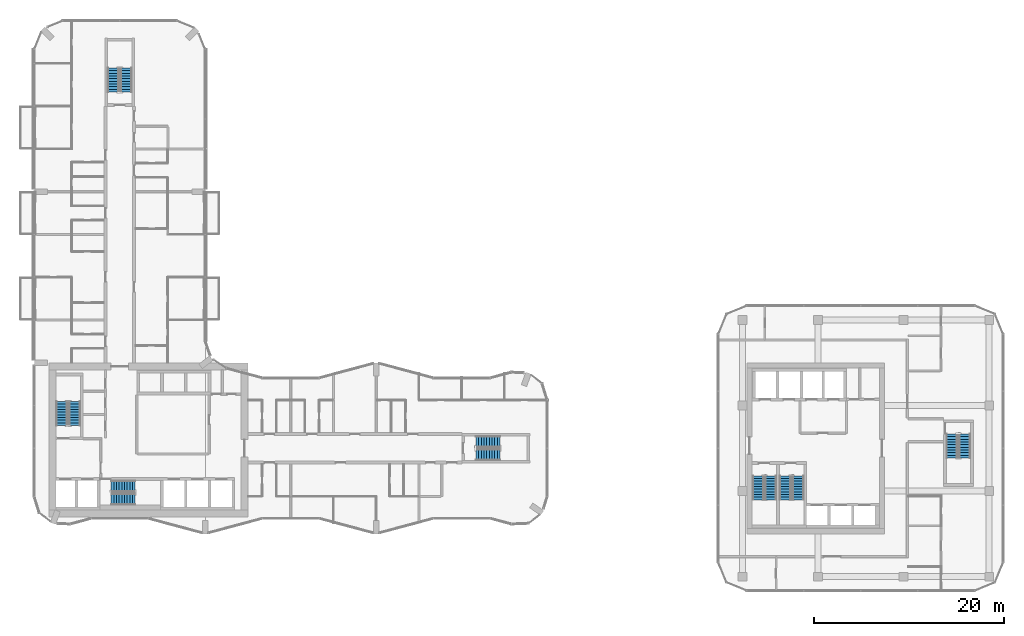
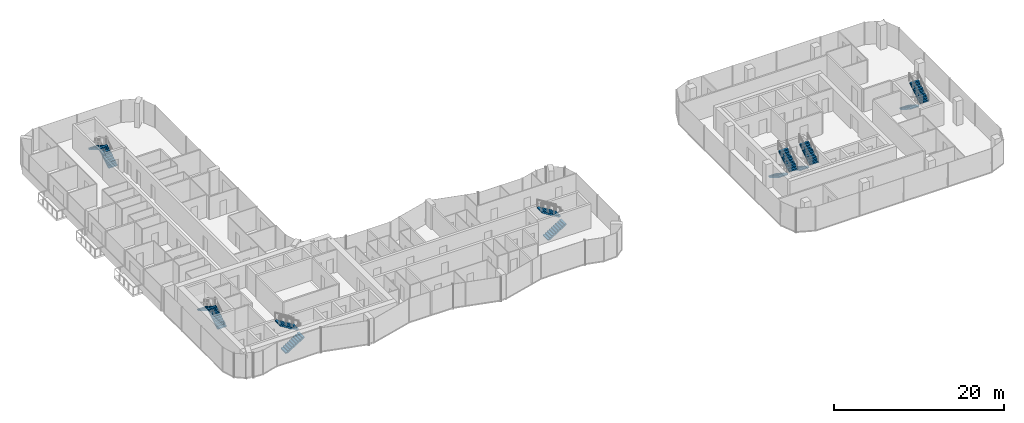
# One storey, part 20 of 23: 14 stair flights, 7 elements without a shape of their own.
"""IFC4 building model written with IfcOpenShell, lengths in metres."""

from ifc_helpers import new_model, si_unit, direction, frame, origin, place, context, subcontext, project, spatial, polyline, outline, extrude, material, type_object, element, aggregate, save


model = new_model("IFC4")

# Units and contexts
model_context = context("Model", 3, precision=1e-05, world=origin(), true_north=direction((0.0, 1.0)))
body_context = subcontext(model_context, "Body", "Model", "MODEL_VIEW")
ifc_project = project(units=[si_unit("LENGTHUNIT", "METRE"), si_unit("AREAUNIT", "SQUARE_METRE"), si_unit("VOLUMEUNIT", "CUBIC_METRE"), si_unit("PLANEANGLEUNIT", "RADIAN"), si_unit("MASSUNIT", "GRAM", prefix="KILO")], contexts=[model_context])

# Site, building, storey
site_placement = place(None, origin())
site = spatial("IfcSite", under=ifc_project, at=site_placement, CompositionType="ELEMENT")
building_placement = place(site_placement, origin())
building = spatial("IfcBuilding", under=site, at=building_placement, Name="Plateau Cross Towers", CompositionType="ELEMENT")
storey_placement = place(building_placement, frame((0.0, 0.0, 37.300048828125)))
storey = spatial("IfcBuildingStorey", under=building, at=storey_placement, Name="L08", CompositionType="ELEMENT", Elevation=37.300048828125)

# Stair, stair flights
ifc_material = material(Name="Concrete C40/50", Category="concrete")
stair_type = type_object("IfcStairType", Name="ST-TWR", PredefinedType="HALF_TURN_STAIR", material=ifc_material)
stair_1_placement = place(storey_placement, origin())
stair_1 = element("IfcStair", 1, at=stair_1_placement, inside=storey, type_object=stair_type, Name="L08 Protected Exit Stair ST-1", PredefinedType="HALF_TURN_STAIR")
stair_flight_type = type_object("IfcStairFlightType", Name="SFL-RC", PredefinedType="STRAIGHT", material=ifc_material)
stair_flight_1_placement = place(storey_placement, frame((4.25, 11.39990234375, 0.0), z_axis=(0.0, 0.0, 1.0), x_axis=(0.0, 1.0, 0.0)))
stair_flight_1 = element("IfcStairFlight", 2, at=stair_flight_1_placement, type_object=stair_flight_type, Name="ST-1 flight 1", NumberOfRisers=10, NumberOfTreads=9, PredefinedType="STRAIGHT", RiserHeight=0.175, TreadLength=0.28, context=body_context, shape_type="SweptSolid", body=[
    extrude(outline(polyline([(-0.0048828125, -0.010009765625), (-0.0048828125, 0.0), (0.0, 0.0), (0.0, 0.175048828125), (0.280029296875, 0.175048828125), (0.280029296875, 0.35009765625), (0.56005859375, 0.35009765625), (0.56005859375, 0.52490234375), (0.840087890625, 0.52490234375), (0.840087890625, 0.699951171875), (1.1201171875, 0.699951171875), (1.1201171875, 0.875), (1.39990234375, 0.875), (1.39990234375, 1.050048828125), (1.679931640625, 1.050048828125), (1.679931640625, 1.22509765625), (1.9599609375, 1.22509765625), (1.9599609375, 1.39990234375), (2.239990234375, 1.39990234375), (2.239990234375, 1.574951171875), (2.52001953125, 1.574951171875), (2.52490234375, 1.56494140625), (2.52490234375, 1.398193359375), (2.52001953125, 1.398193359375), (0.28271484375, 0.0), (0.02001953125, 0.0), (0.02001953125, -0.010009765625), (-0.0048828125, -0.010009765625)])), frame((0.0, 0.60009765625, 0.0), z_axis=(0.0, -1.0, 0.0), x_axis=(1.0, 0.0, 0.0)), (0.0, 0.0, 1.0), 1.199951171875),
])
stair_flight_2_placement = place(storey_placement, frame((2.89990234375, 13.919921875, 1.75), z_axis=(0.0, 0.0, 1.0), x_axis=(0.0, -1.0, 0.0)))
stair_flight_2 = element("IfcStairFlight", 3, at=stair_flight_2_placement, type_object=stair_flight_type, Name="ST-1 flight 2", NumberOfRisers=10, NumberOfTreads=9, PredefinedType="STRAIGHT", RiserHeight=0.175, TreadLength=0.28, context=body_context, shape_type="SweptSolid", body=[
    extrude(outline(polyline([(-0.0048828125, -0.010009765625), (-0.0048828125, 0.0), (0.0, 0.0), (0.0, 0.175048828125), (0.280029296875, 0.175048828125), (0.280029296875, 0.35009765625), (0.56005859375, 0.35009765625), (0.56005859375, 0.52490234375), (0.840087890625, 0.52490234375), (0.840087890625, 0.699951171875), (1.1201171875, 0.699951171875), (1.1201171875, 0.875), (1.39990234375, 0.875), (1.39990234375, 1.050048828125), (1.679931640625, 1.050048828125), (1.679931640625, 1.22509765625), (1.9599609375, 1.22509765625), (1.9599609375, 1.39990234375), (2.239990234375, 1.39990234375), (2.239990234375, 1.574951171875), (2.52001953125, 1.574951171875), (2.52490234375, 1.56494140625), (2.52490234375, 1.398193359375), (2.52001953125, 1.398193359375), (0.28271484375, 0.0), (0.02001953125, 0.0), (0.02001953125, -0.010009765625), (-0.0048828125, -0.010009765625)])), frame((0.0, 0.60009765625, 0.0), z_axis=(0.0, -1.0, 0.0), x_axis=(1.0, 0.0, 0.0)), (0.0, 0.0, 1.0), 1.199951171875),
])
aggregate(stair_1, [stair_flight_1, stair_flight_2])

stair_2_placement = place(storey_placement, origin())
stair_2 = element("IfcStair", 4, at=stair_2_placement, inside=storey, type_object=stair_type, Name="L08 Protected Exit Stair ST-2", PredefinedType="HALF_TURN_STAIR")
stair_flight_3_placement = place(storey_placement, frame((8.10009765625, 3.64990234375, 0.0), z_axis=(0.0, 0.0, 1.0), x_axis=(1.0, 0.0, 0.0)))
stair_flight_3 = element("IfcStairFlight", 5, at=stair_flight_3_placement, type_object=stair_flight_type, Name="ST-2 flight 1", NumberOfRisers=10, NumberOfTreads=9, PredefinedType="STRAIGHT", RiserHeight=0.175, TreadLength=0.28, context=body_context, shape_type="SweptSolid", body=[
    extrude(outline(polyline([(-0.0048828125, -0.010009765625), (-0.0048828125, 0.0), (0.0, 0.0), (0.0, 0.175048828125), (0.280029296875, 0.175048828125), (0.280029296875, 0.35009765625), (0.56005859375, 0.35009765625), (0.56005859375, 0.52490234375), (0.840087890625, 0.52490234375), (0.840087890625, 0.699951171875), (1.1201171875, 0.699951171875), (1.1201171875, 0.875), (1.39990234375, 0.875), (1.39990234375, 1.050048828125), (1.679931640625, 1.050048828125), (1.679931640625, 1.22509765625), (1.9599609375, 1.22509765625), (1.9599609375, 1.39990234375), (2.239990234375, 1.39990234375), (2.239990234375, 1.574951171875), (2.52001953125, 1.574951171875), (2.52490234375, 1.56494140625), (2.52490234375, 1.398193359375), (2.52001953125, 1.398193359375), (0.28271484375, 0.0), (0.02001953125, 0.0), (0.02001953125, -0.010009765625), (-0.0048828125, -0.010009765625)])), frame((0.0, 0.60009765625, 0.0), z_axis=(0.0, -1.0, 0.0), x_axis=(1.0, 0.0, 0.0)), (0.0, 0.0, 1.0), 1.199951171875),
])
stair_flight_4_placement = place(storey_placement, frame((10.6201171875, 5.0, 1.75), z_axis=(0.0, 0.0, 1.0), x_axis=(-1.0, 0.0, 0.0)))
stair_flight_4 = element("IfcStairFlight", 6, at=stair_flight_4_placement, type_object=stair_flight_type, Name="ST-2 flight 2", NumberOfRisers=10, NumberOfTreads=9, PredefinedType="STRAIGHT", RiserHeight=0.175, TreadLength=0.28, context=body_context, shape_type="SweptSolid", body=[
    extrude(outline(polyline([(-0.0048828125, -0.010009765625), (-0.0048828125, 0.0), (0.0, 0.0), (0.0, 0.175048828125), (0.280029296875, 0.175048828125), (0.280029296875, 0.35009765625), (0.56005859375, 0.35009765625), (0.56005859375, 0.52490234375), (0.840087890625, 0.52490234375), (0.840087890625, 0.699951171875), (1.1201171875, 0.699951171875), (1.1201171875, 0.875), (1.39990234375, 0.875), (1.39990234375, 1.050048828125), (1.679931640625, 1.050048828125), (1.679931640625, 1.22509765625), (1.9599609375, 1.22509765625), (1.9599609375, 1.39990234375), (2.239990234375, 1.39990234375), (2.239990234375, 1.574951171875), (2.52001953125, 1.574951171875), (2.52490234375, 1.56494140625), (2.52490234375, 1.398193359375), (2.52001953125, 1.398193359375), (0.28271484375, 0.0), (0.02001953125, 0.0), (0.02001953125, -0.010009765625), (-0.0048828125, -0.010009765625)])), frame((0.0, 0.60009765625, 0.0), z_axis=(0.0, -1.0, 0.0), x_axis=(1.0, 0.0, 0.0)), (0.0, 0.0, 1.0), 1.199951171875),
])
aggregate(stair_2, [stair_flight_3, stair_flight_4])

stair_3_placement = place(storey_placement, origin())
stair_3 = element("IfcStair", 7, at=stair_3_placement, inside=storey, type_object=stair_type, Name="L08 Protected Exit Stair SB-1", PredefinedType="HALF_TURN_STAIR")
stair_flight_5_placement = place(storey_placement, frame((76.199951171875, 6.10009765625, 0.0), z_axis=(0.0, 0.0, 1.0), x_axis=(0.0, -1.0, 0.0)))
stair_flight_5 = element("IfcStairFlight", 8, at=stair_flight_5_placement, type_object=stair_flight_type, Name="SB-1 flight 1", NumberOfRisers=10, NumberOfTreads=9, PredefinedType="STRAIGHT", RiserHeight=0.175, TreadLength=0.28, context=body_context, shape_type="SweptSolid", body=[
    extrude(outline(polyline([(-0.0048828125, -0.010009765625), (-0.0048828125, 0.0), (0.0, 0.0), (0.0, 0.175048828125), (0.280029296875, 0.175048828125), (0.280029296875, 0.35009765625), (0.56005859375, 0.35009765625), (0.56005859375, 0.52490234375), (0.840087890625, 0.52490234375), (0.840087890625, 0.699951171875), (1.1201171875, 0.699951171875), (1.1201171875, 0.875), (1.39990234375, 0.875), (1.39990234375, 1.050048828125), (1.679931640625, 1.050048828125), (1.679931640625, 1.22509765625), (1.9599609375, 1.22509765625), (1.9599609375, 1.39990234375), (2.239990234375, 1.39990234375), (2.239990234375, 1.574951171875), (2.52001953125, 1.574951171875), (2.52490234375, 1.56494140625), (2.52490234375, 1.398193359375), (2.52001953125, 1.398193359375), (0.28271484375, 0.0), (0.02001953125, 0.0), (0.02001953125, -0.010009765625), (-0.0048828125, -0.010009765625)])), frame((0.0, 0.60009765625, 0.0), z_axis=(0.0, -1.0, 0.0), x_axis=(1.0, 0.0, 0.0)), (0.0, 0.0, 1.0), 1.199951171875),
])
stair_flight_6_placement = place(storey_placement, frame((77.550048828125, 3.580078125, 1.75), z_axis=(0.0, 0.0, 1.0), x_axis=(0.0, 1.0, 0.0)))
stair_flight_6 = element("IfcStairFlight", 9, at=stair_flight_6_placement, type_object=stair_flight_type, Name="SB-1 flight 2", NumberOfRisers=10, NumberOfTreads=9, PredefinedType="STRAIGHT", RiserHeight=0.175, TreadLength=0.28, context=body_context, shape_type="SweptSolid", body=[
    extrude(outline(polyline([(-0.0048828125, -0.010009765625), (-0.0048828125, 0.0), (0.0, 0.0), (0.0, 0.175048828125), (0.280029296875, 0.175048828125), (0.280029296875, 0.35009765625), (0.56005859375, 0.35009765625), (0.56005859375, 0.52490234375), (0.840087890625, 0.52490234375), (0.840087890625, 0.699951171875), (1.1201171875, 0.699951171875), (1.1201171875, 0.875), (1.39990234375, 0.875), (1.39990234375, 1.050048828125), (1.679931640625, 1.050048828125), (1.679931640625, 1.22509765625), (1.9599609375, 1.22509765625), (1.9599609375, 1.39990234375), (2.239990234375, 1.39990234375), (2.239990234375, 1.574951171875), (2.52001953125, 1.574951171875), (2.52490234375, 1.56494140625), (2.52490234375, 1.398193359375), (2.52001953125, 1.398193359375), (0.28271484375, 0.0), (0.02001953125, 0.0), (0.02001953125, -0.010009765625), (-0.0048828125, -0.010009765625)])), frame((0.0, 0.60009765625, 0.0), z_axis=(0.0, -1.0, 0.0), x_axis=(1.0, 0.0, 0.0)), (0.0, 0.0, 1.0), 1.199951171875),
])
aggregate(stair_3, [stair_flight_5, stair_flight_6])

stair_4_placement = place(storey_placement, origin())
stair_4 = element("IfcStair", 10, at=stair_4_placement, inside=storey, type_object=stair_type, Name="L08 Protected Exit Stair SB-2", PredefinedType="HALF_TURN_STAIR")
stair_flight_7_placement = place(storey_placement, frame((79.050048828125, 6.10009765625, 0.0), z_axis=(0.0, 0.0, 1.0), x_axis=(0.0, -1.0, 0.0)))
stair_flight_7 = element("IfcStairFlight", 11, at=stair_flight_7_placement, type_object=stair_flight_type, Name="SB-2 flight 1", NumberOfRisers=10, NumberOfTreads=9, PredefinedType="STRAIGHT", RiserHeight=0.175, TreadLength=0.28, context=body_context, shape_type="SweptSolid", body=[
    extrude(outline(polyline([(-0.0048828125, -0.010009765625), (-0.0048828125, 0.0), (0.0, 0.0), (0.0, 0.175048828125), (0.280029296875, 0.175048828125), (0.280029296875, 0.35009765625), (0.56005859375, 0.35009765625), (0.56005859375, 0.52490234375), (0.840087890625, 0.52490234375), (0.840087890625, 0.699951171875), (1.1201171875, 0.699951171875), (1.1201171875, 0.875), (1.39990234375, 0.875), (1.39990234375, 1.050048828125), (1.679931640625, 1.050048828125), (1.679931640625, 1.22509765625), (1.9599609375, 1.22509765625), (1.9599609375, 1.39990234375), (2.239990234375, 1.39990234375), (2.239990234375, 1.574951171875), (2.52001953125, 1.574951171875), (2.52490234375, 1.56494140625), (2.52490234375, 1.398193359375), (2.52001953125, 1.398193359375), (0.28271484375, 0.0), (0.02001953125, 0.0), (0.02001953125, -0.010009765625), (-0.0048828125, -0.010009765625)])), frame((0.0, 0.60009765625, 0.0), z_axis=(0.0, -1.0, 0.0), x_axis=(1.0, 0.0, 0.0)), (0.0, 0.0, 1.0), 1.199951171875),
])
stair_flight_8_placement = place(storey_placement, frame((80.39990234375, 3.580078125, 1.75), z_axis=(0.0, 0.0, 1.0), x_axis=(0.0, 1.0, 0.0)))
stair_flight_8 = element("IfcStairFlight", 12, at=stair_flight_8_placement, type_object=stair_flight_type, Name="SB-2 flight 2", NumberOfRisers=10, NumberOfTreads=9, PredefinedType="STRAIGHT", RiserHeight=0.175, TreadLength=0.28, context=body_context, shape_type="SweptSolid", body=[
    extrude(outline(polyline([(-0.0048828125, -0.010009765625), (-0.0048828125, 0.0), (0.0, 0.0), (0.0, 0.175048828125), (0.280029296875, 0.175048828125), (0.280029296875, 0.35009765625), (0.56005859375, 0.35009765625), (0.56005859375, 0.52490234375), (0.840087890625, 0.52490234375), (0.840087890625, 0.699951171875), (1.1201171875, 0.699951171875), (1.1201171875, 0.875), (1.39990234375, 0.875), (1.39990234375, 1.050048828125), (1.679931640625, 1.050048828125), (1.679931640625, 1.22509765625), (1.9599609375, 1.22509765625), (1.9599609375, 1.39990234375), (2.239990234375, 1.39990234375), (2.239990234375, 1.574951171875), (2.52001953125, 1.574951171875), (2.52490234375, 1.56494140625), (2.52490234375, 1.398193359375), (2.52001953125, 1.398193359375), (0.28271484375, 0.0), (0.02001953125, 0.0), (0.02001953125, -0.010009765625), (-0.0048828125, -0.010009765625)])), frame((0.0, 0.60009765625, 0.0), z_axis=(0.0, -1.0, 0.0), x_axis=(1.0, 0.0, 0.0)), (0.0, 0.0, 1.0), 1.199951171875),
])
aggregate(stair_4, [stair_flight_7, stair_flight_8])

stair_5_placement = place(storey_placement, origin())
stair_5 = element("IfcStair", 13, at=stair_5_placement, inside=storey, type_object=stair_type, Name="L08 Protected Exit Stair SB-3", PredefinedType="HALF_TURN_STAIR")
stair_flight_9_placement = place(storey_placement, frame((96.60009765625, 10.5, 0.0), z_axis=(0.0, 0.0, 1.0), x_axis=(0.0, -1.0, 0.0)))
stair_flight_9 = element("IfcStairFlight", 14, at=stair_flight_9_placement, type_object=stair_flight_type, Name="SB-3 flight 1", NumberOfRisers=10, NumberOfTreads=9, PredefinedType="STRAIGHT", RiserHeight=0.175, TreadLength=0.28, context=body_context, shape_type="SweptSolid", body=[
    extrude(outline(polyline([(-0.0048828125, -0.010009765625), (-0.0048828125, 0.0), (0.0, 0.0), (0.0, 0.175048828125), (0.280029296875, 0.175048828125), (0.280029296875, 0.35009765625), (0.56005859375, 0.35009765625), (0.56005859375, 0.52490234375), (0.840087890625, 0.52490234375), (0.840087890625, 0.699951171875), (1.1201171875, 0.699951171875), (1.1201171875, 0.875), (1.39990234375, 0.875), (1.39990234375, 1.050048828125), (1.679931640625, 1.050048828125), (1.679931640625, 1.22509765625), (1.9599609375, 1.22509765625), (1.9599609375, 1.39990234375), (2.239990234375, 1.39990234375), (2.239990234375, 1.574951171875), (2.52001953125, 1.574951171875), (2.52490234375, 1.56494140625), (2.52490234375, 1.398193359375), (2.52001953125, 1.398193359375), (0.28271484375, 0.0), (0.02001953125, 0.0), (0.02001953125, -0.010009765625), (-0.0048828125, -0.010009765625)])), frame((0.0, 0.60009765625, 0.0), z_axis=(0.0, -1.0, 0.0), x_axis=(1.0, 0.0, 0.0)), (0.0, 0.0, 1.0), 1.199951171875),
])
stair_flight_10_placement = place(storey_placement, frame((97.949951171875, 7.97998046875, 1.75), z_axis=(0.0, 0.0, 1.0), x_axis=(0.0, 1.0, 0.0)))
stair_flight_10 = element("IfcStairFlight", 15, at=stair_flight_10_placement, type_object=stair_flight_type, Name="SB-3 flight 2", NumberOfRisers=10, NumberOfTreads=9, PredefinedType="STRAIGHT", RiserHeight=0.175, TreadLength=0.28, context=body_context, shape_type="SweptSolid", body=[
    extrude(outline(polyline([(-0.0048828125, -0.010009765625), (-0.0048828125, 0.0), (0.0, 0.0), (0.0, 0.175048828125), (0.280029296875, 0.175048828125), (0.280029296875, 0.35009765625), (0.56005859375, 0.35009765625), (0.56005859375, 0.52490234375), (0.840087890625, 0.52490234375), (0.840087890625, 0.699951171875), (1.1201171875, 0.699951171875), (1.1201171875, 0.875), (1.39990234375, 0.875), (1.39990234375, 1.050048828125), (1.679931640625, 1.050048828125), (1.679931640625, 1.22509765625), (1.9599609375, 1.22509765625), (1.9599609375, 1.39990234375), (2.239990234375, 1.39990234375), (2.239990234375, 1.574951171875), (2.52001953125, 1.574951171875), (2.52490234375, 1.56494140625), (2.52490234375, 1.398193359375), (2.52001953125, 1.398193359375), (0.28271484375, 0.0), (0.02001953125, 0.0), (0.02001953125, -0.010009765625), (-0.0048828125, -0.010009765625)])), frame((0.0, 0.60009765625, 0.0), z_axis=(0.0, -1.0, 0.0), x_axis=(1.0, 0.0, 0.0)), (0.0, 0.0, 1.0), 1.199951171875),
])
aggregate(stair_5, [stair_flight_9, stair_flight_10])

stair_6_placement = place(storey_placement, origin())
stair_6 = element("IfcStair", 16, at=stair_6_placement, inside=storey, type_object=stair_type, Name="L08 Protected Exit Stair E", PredefinedType="HALF_TURN_STAIR")
stair_flight_11_placement = place(storey_placement, frame((46.5, 8.324951171875, 0.0), z_axis=(0.0, 0.0, 1.0), x_axis=(1.0, 0.0, 0.0)))
stair_flight_11 = element("IfcStairFlight", 17, at=stair_flight_11_placement, type_object=stair_flight_type, Name="ES-E flight 1", NumberOfRisers=10, NumberOfTreads=9, PredefinedType="STRAIGHT", RiserHeight=0.175, TreadLength=0.28, context=body_context, shape_type="SweptSolid", body=[
    extrude(outline(polyline([(-0.0048828125, -0.010009765625), (-0.0048828125, 0.0), (0.0, 0.0), (0.0, 0.175048828125), (0.280029296875, 0.175048828125), (0.280029296875, 0.35009765625), (0.56005859375, 0.35009765625), (0.56005859375, 0.52490234375), (0.840087890625, 0.52490234375), (0.840087890625, 0.699951171875), (1.1201171875, 0.699951171875), (1.1201171875, 0.875), (1.39990234375, 0.875), (1.39990234375, 1.050048828125), (1.679931640625, 1.050048828125), (1.679931640625, 1.22509765625), (1.9599609375, 1.22509765625), (1.9599609375, 1.39990234375), (2.239990234375, 1.39990234375), (2.239990234375, 1.574951171875), (2.52001953125, 1.574951171875), (2.52490234375, 1.56494140625), (2.52490234375, 1.398193359375), (2.52001953125, 1.398193359375), (0.28271484375, 0.0), (0.02001953125, 0.0), (0.02001953125, -0.010009765625), (-0.0048828125, -0.010009765625)])), frame((0.0, 0.60009765625, 0.0), z_axis=(0.0, -1.0, 0.0), x_axis=(1.0, 0.0, 0.0)), (0.0, 0.0, 1.0), 1.199951171875),
])
stair_flight_12_placement = place(storey_placement, frame((49.02001953125, 9.675048828125, 1.75), z_axis=(0.0, 0.0, 1.0), x_axis=(-1.0, 0.0, 0.0)))
stair_flight_12 = element("IfcStairFlight", 18, at=stair_flight_12_placement, type_object=stair_flight_type, Name="ES-E flight 2", NumberOfRisers=10, NumberOfTreads=9, PredefinedType="STRAIGHT", RiserHeight=0.175, TreadLength=0.28, context=body_context, shape_type="SweptSolid", body=[
    extrude(outline(polyline([(-0.0048828125, -0.010009765625), (-0.0048828125, 0.0), (0.0, 0.0), (0.0, 0.175048828125), (0.280029296875, 0.175048828125), (0.280029296875, 0.35009765625), (0.56005859375, 0.35009765625), (0.56005859375, 0.52490234375), (0.840087890625, 0.52490234375), (0.840087890625, 0.699951171875), (1.1201171875, 0.699951171875), (1.1201171875, 0.875), (1.39990234375, 0.875), (1.39990234375, 1.050048828125), (1.679931640625, 1.050048828125), (1.679931640625, 1.22509765625), (1.9599609375, 1.22509765625), (1.9599609375, 1.39990234375), (2.239990234375, 1.39990234375), (2.239990234375, 1.574951171875), (2.52001953125, 1.574951171875), (2.52490234375, 1.56494140625), (2.52490234375, 1.398193359375), (2.52001953125, 1.398193359375), (0.28271484375, 0.0), (0.02001953125, 0.0), (0.02001953125, -0.010009765625), (-0.0048828125, -0.010009765625)])), frame((0.0, 0.60009765625, 0.0), z_axis=(0.0, -1.0, 0.0), x_axis=(1.0, 0.0, 0.0)), (0.0, 0.0, 1.0), 1.199951171875),
])
aggregate(stair_6, [stair_flight_11, stair_flight_12])

stair_7_placement = place(storey_placement, origin())
stair_7 = element("IfcStair", 19, at=stair_7_placement, inside=storey, type_object=stair_type, Name="L08 Protected Exit Stair N", PredefinedType="HALF_TURN_STAIR")
stair_flight_13_placement = place(storey_placement, frame((9.675048828125, 46.5, 0.0), z_axis=(0.0, 0.0, 1.0), x_axis=(0.0, 1.0, 0.0)))
stair_flight_13 = element("IfcStairFlight", 20, at=stair_flight_13_placement, type_object=stair_flight_type, Name="ES-N flight 1", NumberOfRisers=10, NumberOfTreads=9, PredefinedType="STRAIGHT", RiserHeight=0.175, TreadLength=0.28, context=body_context, shape_type="SweptSolid", body=[
    extrude(outline(polyline([(-0.0048828125, -0.010009765625), (-0.0048828125, 0.0), (0.0, 0.0), (0.0, 0.175048828125), (0.280029296875, 0.175048828125), (0.280029296875, 0.35009765625), (0.56005859375, 0.35009765625), (0.56005859375, 0.52490234375), (0.840087890625, 0.52490234375), (0.840087890625, 0.699951171875), (1.1201171875, 0.699951171875), (1.1201171875, 0.875), (1.39990234375, 0.875), (1.39990234375, 1.050048828125), (1.679931640625, 1.050048828125), (1.679931640625, 1.22509765625), (1.9599609375, 1.22509765625), (1.9599609375, 1.39990234375), (2.239990234375, 1.39990234375), (2.239990234375, 1.574951171875), (2.52001953125, 1.574951171875), (2.52490234375, 1.56494140625), (2.52490234375, 1.398193359375), (2.52001953125, 1.398193359375), (0.28271484375, 0.0), (0.02001953125, 0.0), (0.02001953125, -0.010009765625), (-0.0048828125, -0.010009765625)])), frame((0.0, 0.60009765625, 0.0), z_axis=(0.0, -1.0, 0.0), x_axis=(1.0, 0.0, 0.0)), (0.0, 0.0, 1.0), 1.199951171875),
])
stair_flight_14_placement = place(storey_placement, frame((8.324951171875, 49.02001953125, 1.75), z_axis=(0.0, 0.0, 1.0), x_axis=(0.0, -1.0, 0.0)))
stair_flight_14 = element("IfcStairFlight", 21, at=stair_flight_14_placement, type_object=stair_flight_type, Name="ES-N flight 2", NumberOfRisers=10, NumberOfTreads=9, PredefinedType="STRAIGHT", RiserHeight=0.175, TreadLength=0.28, context=body_context, shape_type="SweptSolid", body=[
    extrude(outline(polyline([(-0.0048828125, -0.010009765625), (-0.0048828125, 0.0), (0.0, 0.0), (0.0, 0.175048828125), (0.280029296875, 0.175048828125), (0.280029296875, 0.35009765625), (0.56005859375, 0.35009765625), (0.56005859375, 0.52490234375), (0.840087890625, 0.52490234375), (0.840087890625, 0.699951171875), (1.1201171875, 0.699951171875), (1.1201171875, 0.875), (1.39990234375, 0.875), (1.39990234375, 1.050048828125), (1.679931640625, 1.050048828125), (1.679931640625, 1.22509765625), (1.9599609375, 1.22509765625), (1.9599609375, 1.39990234375), (2.239990234375, 1.39990234375), (2.239990234375, 1.574951171875), (2.52001953125, 1.574951171875), (2.52490234375, 1.56494140625), (2.52490234375, 1.398193359375), (2.52001953125, 1.398193359375), (0.28271484375, 0.0), (0.02001953125, 0.0), (0.02001953125, -0.010009765625), (-0.0048828125, -0.010009765625)])), frame((0.0, 0.60009765625, 0.0), z_axis=(0.0, -1.0, 0.0), x_axis=(1.0, 0.0, 0.0)), (0.0, 0.0, 1.0), 1.199951171875),
])
aggregate(stair_7, [stair_flight_13, stair_flight_14])

save(model, "model.ifc")
